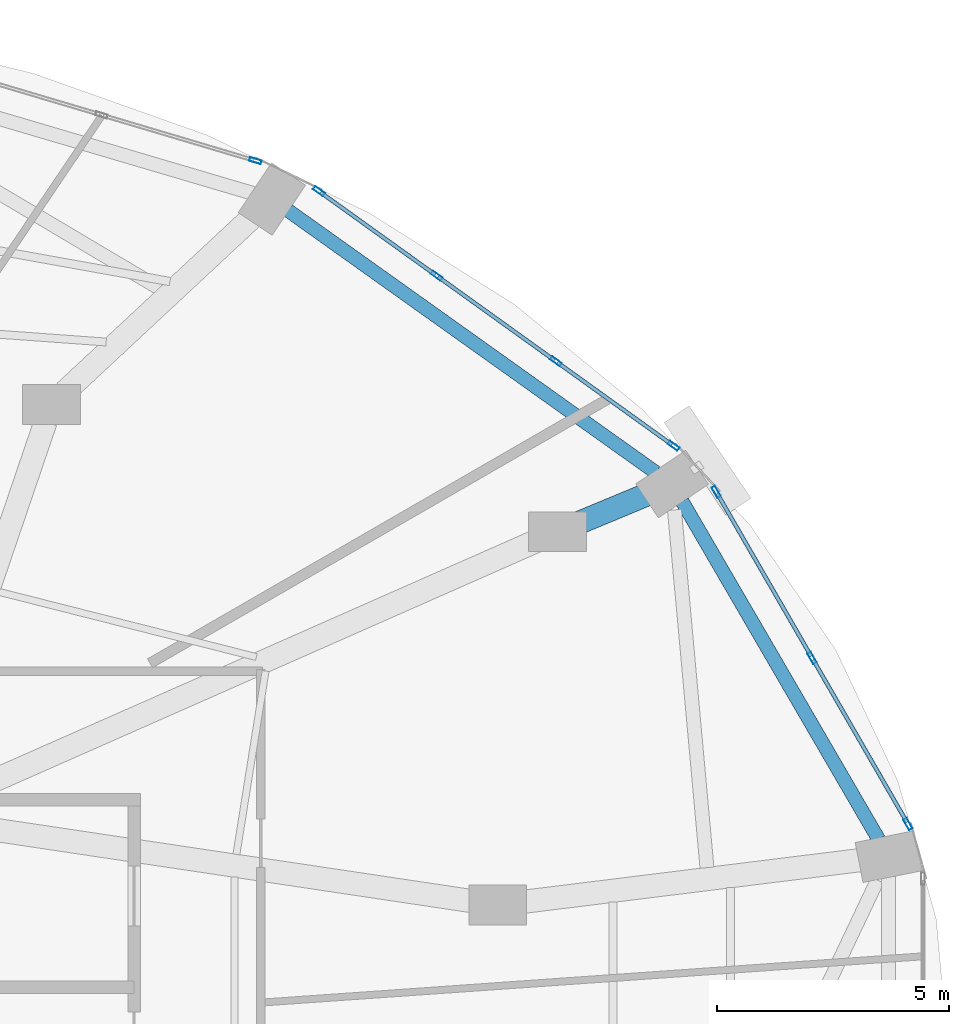
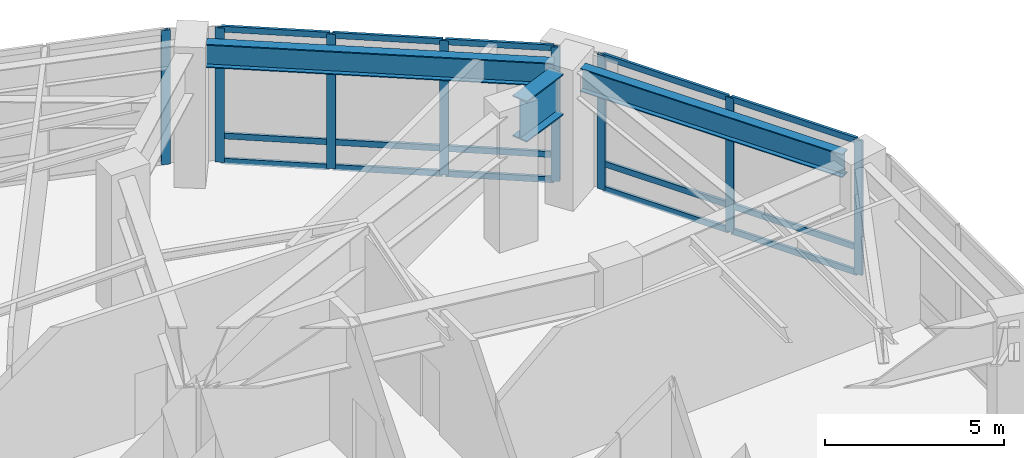
# One storey, part 17 of 24: 23 members, 3 beams, 3 elements without a shape of their own.
"""IFC4 building model written with IfcOpenShell, lengths in metres."""

from ifc_helpers import new_model, si_unit, direction, frame, origin, origin_2d, place, context, subcontext, project, spatial, hollow_rectangle, i_section, extrude, material, layer, layer_set, material_profile, profile_set, type_object, element, aggregate, save


model = new_model("IFC4")

# Units and contexts
model_context = context("Model", 3, precision=1e-05, world=origin(), true_north=direction((0.0, 1.0)))
body_context = subcontext(model_context, "Body", "Model", "MODEL_VIEW")
ifc_project = project(units=[si_unit("LENGTHUNIT", "METRE"), si_unit("AREAUNIT", "SQUARE_METRE"), si_unit("VOLUMEUNIT", "CUBIC_METRE"), si_unit("PLANEANGLEUNIT", "RADIAN"), si_unit("MASSUNIT", "GRAM", prefix="KILO")], contexts=[model_context])

# Site, building, storey
site_placement = place(None, origin())
site = spatial("IfcSite", under=ifc_project, at=site_placement, CompositionType="ELEMENT")
building_placement = place(site_placement, origin())
building = spatial("IfcBuilding", under=site, at=building_placement, Name="Lazwardi Medical Tower", CompositionType="ELEMENT")
storey_placement = place(building_placement, frame((0.0, 0.0, 20.39990234375)))
storey = spatial("IfcBuildingStorey", under=building, at=storey_placement, Name="L04", CompositionType="ELEMENT", Elevation=20.39990234375)

# Beams
ifc_material_1 = material(Name="Steel S355", Category="steel")
ifc_material_profile_1 = material_profile(ifc_material_1, i_section(OverallWidth=0.300048828125, OverallDepth=0.800048828125, WebThickness=0.017578125, FlangeThickness=0.032958984375, at=origin_2d()), Name="HEB 800")
ifc_profile_set_1 = profile_set([ifc_material_profile_1], Name="Steel S355")
beam_type_1 = type_object("IfcBeamType", Name="BM-RB-P1", PredefinedType="BEAM", material=ifc_profile_set_1)
beam_1_placement = place(storey_placement, frame((66.482421875, 35.122314453125, 4.18017578125), z_axis=(-0.502605874383, 0.864515665003, 0.0), x_axis=(-0.864515665003, -0.502605874383, 0.0)))
element("IfcBeam", 1, at=beam_1_placement, inside=storey, type_object=beam_type_1, Name="Ring beam RB-01 B05 L04", PredefinedType="BEAM", context=body_context, shape_type="SweptSolid", body=[
    extrude(i_section(OverallWidth=0.300048828125, OverallDepth=0.800048828125, WebThickness=0.017578125, FlangeThickness=0.032958984375, at=origin_2d()), origin(), (0.0, 0.0, 1.0), 8.4384765625),
])
beam_2_placement = place(storey_placement, frame((61.6748046875, 43.038818359375, 4.18017578125), z_axis=(-0.814437186887, 0.580251728663, 0.0), x_axis=(-0.580251728663, -0.814437186887, 0.0)))
element("IfcBeam", 2, at=beam_2_placement, inside=storey, type_object=beam_type_1, Name="Ring beam RB-01 B06 L04", PredefinedType="BEAM", context=body_context, shape_type="SweptSolid", body=[
    extrude(i_section(OverallWidth=0.300048828125, OverallDepth=0.800048828125, WebThickness=0.017578125, FlangeThickness=0.032958984375, at=origin_2d()), origin(), (0.0, 0.0, 1.0), 9.743408203125),
])
ifc_material_2 = material(Name="Steel S460", Category="steel")
ifc_material_profile_2 = material_profile(ifc_material_2, i_section(OverallWidth=0.5, OverallDepth=1.39990234375, WebThickness=0.028076171875, FlangeThickness=0.044921875, at=origin_2d()), Name="PG 1400x500")
ifc_profile_set_2 = profile_set([ifc_material_profile_2], Name="Steel S460")
beam_type_2 = type_object("IfcBeamType", Name="BM-TG-01", PredefinedType="BEAM", material=ifc_profile_set_2)
beam_3_placement = place(storey_placement, frame((61.489501953125, 42.56640625, 3.880126953125), z_axis=(-0.923382441077, -0.383881319565, 0.0), x_axis=(0.383881319565, -0.923382441077, 0.0)))
element("IfcBeam", 3, at=beam_3_placement, inside=storey, type_object=beam_type_2, Name="Transfer girder TG-01 M06A L04", PredefinedType="BEAM", context=body_context, shape_type="SweptSolid", body=[
    extrude(i_section(OverallWidth=0.5, OverallDepth=1.39990234375, WebThickness=0.028076171875, FlangeThickness=0.044921875, at=origin_2d()), origin(), (0.0, 0.0, 1.0), 1.70068359375),
])

# Curtain wall, members
ifc_material_3 = material(Name="Anodised bronze aluminium and solar control glazing", Category="aluminium")
ifc_layer = layer(ifc_material_3, 0.219970703125)
ifc_layer_set = layer_set([ifc_layer], Name="Anodised bronze aluminium and solar control glazing")
curtain_wall_type = type_object("IfcCurtainWallType", Name="CW-SYS-01", PredefinedType="NOTDEFINED", material=ifc_layer_set)
curtain_wall_1_placement = place(storey_placement, origin())
curtain_wall_1 = element("IfcCurtainWall", 4, at=curtain_wall_1_placement, inside=storey, type_object=curtain_wall_type, Name="L04 Unitised bronze curtain wall CW-01", PredefinedType="NOTDEFINED")
ifc_material_4 = material(Name="Anodised bronze aluminium", Category="aluminium")
ifc_material_profile_3 = material_profile(ifc_material_4, hollow_rectangle(XDim=0.0849609375, YDim=0.260009765625, WallThickness=0.0048828125, at=origin_2d()), Name="ALU-MULLION 260x85x5")
ifc_profile_set_3 = profile_set([ifc_material_profile_3], Name="Anodised bronze aluminium")
member_type_1 = type_object("IfcMemberType", Name="CW-MUL-02", PredefinedType="MULLION", material=ifc_profile_set_3)
member_1_placement = place(storey_placement, frame((67.1142578125, 35.4541015625, 0.0), z_axis=(0.0, 0.0, 1.0), x_axis=(-0.866180607783, -0.499731082384, 0.0)))
member_1 = element("IfcMember", 5, at=member_1_placement, type_object=member_type_1, Name="CW-01 mullion 1", PredefinedType="MULLION", context=body_context, shape_type="SweptSolid", body=[
    extrude(hollow_rectangle(XDim=0.0849609375, YDim=0.260009765625, WallThickness=0.0048828125, at=origin_2d()), origin(), (0.0, 0.0, 1.0), 4.580078125),
])
member_2_placement = place(storey_placement, frame((65.04638671875, 39.0380859375, 0.0), z_axis=(0.0, 0.0, 1.0), x_axis=(-0.866180607783, -0.499731082384, 0.0)))
member_2 = element("IfcMember", 6, at=member_2_placement, type_object=member_type_1, Name="CW-01 mullion 2", PredefinedType="MULLION", context=body_context, shape_type="SweptSolid", body=[
    extrude(hollow_rectangle(XDim=0.0849609375, YDim=0.260009765625, WallThickness=0.0048828125, at=origin_2d()), origin(), (0.0, 0.0, 1.0), 4.580078125),
])
member_3_placement = place(storey_placement, frame((62.978759765625, 42.6220703125, 0.0), z_axis=(0.0, 0.0, 1.0), x_axis=(-0.866180607783, -0.499731082384, 0.0)))
member_3 = element("IfcMember", 7, at=member_3_placement, type_object=member_type_1, Name="CW-01 mullion 3", PredefinedType="MULLION", context=body_context, shape_type="SweptSolid", body=[
    extrude(hollow_rectangle(XDim=0.0849609375, YDim=0.260009765625, WallThickness=0.0048828125, at=origin_2d()), origin(), (0.0, 0.0, 1.0), 4.580078125),
])

curtain_wall_2_placement = place(storey_placement, origin())
curtain_wall_2 = element("IfcCurtainWall", 8, at=curtain_wall_2_placement, inside=storey, type_object=curtain_wall_type, Name="L04 Unitised bronze curtain wall CW-01", PredefinedType="NOTDEFINED")
member_4_placement = place(storey_placement, frame((62.056640625, 43.614501953125, 0.0), z_axis=(0.0, 0.0, 1.0), x_axis=(-0.583214260584, -0.812318365083, 0.0)))
member_4 = element("IfcMember", 9, at=member_4_placement, type_object=member_type_1, Name="CW-01 mullion 1", PredefinedType="MULLION", context=body_context, shape_type="SweptSolid", body=[
    extrude(hollow_rectangle(XDim=0.0849609375, YDim=0.260009765625, WallThickness=0.0048828125, at=origin_2d()), origin(), (0.0, 0.0, 1.0), 4.580078125),
])
member_5_placement = place(storey_placement, frame((59.517822265625, 45.437255859375, 0.0), z_axis=(0.0, 0.0, 1.0), x_axis=(-0.583214260584, -0.812318365083, 0.0)))
member_5 = element("IfcMember", 10, at=member_5_placement, type_object=member_type_1, Name="CW-01 mullion 2", PredefinedType="MULLION", context=body_context, shape_type="SweptSolid", body=[
    extrude(hollow_rectangle(XDim=0.0849609375, YDim=0.260009765625, WallThickness=0.0048828125, at=origin_2d()), origin(), (0.0, 0.0, 1.0), 4.580078125),
])
member_6_placement = place(storey_placement, frame((56.944580078125, 47.28466796875, 0.0), z_axis=(0.0, 0.0, 1.0), x_axis=(-0.583214260584, -0.812318365083, 0.0)))
member_6 = element("IfcMember", 11, at=member_6_placement, type_object=member_type_1, Name="CW-01 mullion 3", PredefinedType="MULLION", context=body_context, shape_type="SweptSolid", body=[
    extrude(hollow_rectangle(XDim=0.0849609375, YDim=0.260009765625, WallThickness=0.0048828125, at=origin_2d()), origin(), (0.0, 0.0, 1.0), 4.580078125),
])
member_7_placement = place(storey_placement, frame((54.40576171875, 49.107421875, 0.0), z_axis=(0.0, 0.0, 1.0), x_axis=(-0.583214260584, -0.812318365083, 0.0)))
member_7 = element("IfcMember", 12, at=member_7_placement, type_object=member_type_1, Name="CW-01 mullion 4", PredefinedType="MULLION", context=body_context, shape_type="SweptSolid", body=[
    extrude(hollow_rectangle(XDim=0.0849609375, YDim=0.260009765625, WallThickness=0.0048828125, at=origin_2d()), origin(), (0.0, 0.0, 1.0), 4.580078125),
])

# Curtain wall, member
curtain_wall_3_placement = place(storey_placement, origin())
curtain_wall_3 = element("IfcCurtainWall", 13, at=curtain_wall_3_placement, inside=storey, type_object=curtain_wall_type, Name="L04 Unitised bronze curtain wall CW-01", PredefinedType="NOTDEFINED")
member_8_placement = place(storey_placement, frame((53.033935546875, 49.766357421875, 0.0), z_axis=(0.0, 0.0, 1.0), x_axis=(-0.285047195531, -0.958513482597, 0.0)))
member_8 = element("IfcMember", 14, at=member_8_placement, type_object=member_type_1, Name="CW-01 mullion 1", PredefinedType="MULLION", context=body_context, shape_type="SweptSolid", body=[
    extrude(hollow_rectangle(XDim=0.0849609375, YDim=0.260009765625, WallThickness=0.0048828125, at=origin_2d()), origin(), (0.0, 0.0, 1.0), 4.580078125),
])
aggregate(curtain_wall_3, [member_8])

# Member
ifc_material_profile_4 = material_profile(ifc_material_4, hollow_rectangle(XDim=0.0849609375, YDim=0.199951171875, WallThickness=0.00439453125, at=origin_2d()), Name="ALU-TRANSOM 200x85x4.5")
ifc_profile_set_4 = profile_set([ifc_material_profile_4], Name="Anodised bronze aluminium")
member_type_2 = type_object("IfcMemberType", Name="CW-TRN-02", PredefinedType="USERDEFINED", material=ifc_profile_set_4)
member_9_placement = place(storey_placement, frame((67.093017578125, 35.49072265625, 0.04248046875), z_axis=(-0.499741574693, 0.866174554304, 0.0), x_axis=(-0.866174554304, -0.499741574693, 0.0)))
member_9 = element("IfcMember", 15, at=member_9_placement, type_object=member_type_2, Name="CW-01 transom 1.1", ObjectType="TRANSOM", PredefinedType="USERDEFINED", context=body_context, shape_type="SweptSolid", body=[
    extrude(hollow_rectangle(XDim=0.0849609375, YDim=0.199951171875, WallThickness=0.00439453125, at=origin_2d()), origin(), (0.0, 0.0, 1.0), 4.052978515625),
])

member_10_placement = place(storey_placement, frame((67.093017578125, 35.49072265625, 0.900146484375), z_axis=(-0.499741574693, 0.866174554304, 0.0), x_axis=(-0.866174554304, -0.499741574693, 0.0)))
member_10 = element("IfcMember", 16, at=member_10_placement, type_object=member_type_2, Name="CW-01 transom 1.2", ObjectType="TRANSOM", PredefinedType="USERDEFINED", context=body_context, shape_type="SweptSolid", body=[
    extrude(hollow_rectangle(XDim=0.0849609375, YDim=0.199951171875, WallThickness=0.00439453125, at=origin_2d()), origin(), (0.0, 0.0, 1.0), 4.052978515625),
])

member_11_placement = place(storey_placement, frame((67.093017578125, 35.49072265625, 4.53759765625), z_axis=(-0.499741574693, 0.866174554304, 0.0), x_axis=(-0.866174554304, -0.499741574693, 0.0)))
member_11 = element("IfcMember", 17, at=member_11_placement, type_object=member_type_2, Name="CW-01 transom 1.3", ObjectType="TRANSOM", PredefinedType="USERDEFINED", context=body_context, shape_type="SweptSolid", body=[
    extrude(hollow_rectangle(XDim=0.0849609375, YDim=0.199951171875, WallThickness=0.00439453125, at=origin_2d()), origin(), (0.0, 0.0, 1.0), 4.052978515625),
])

member_12_placement = place(storey_placement, frame((65.025146484375, 39.074951171875, 0.04248046875), z_axis=(-0.499767651026, 0.866159508975, 0.0), x_axis=(-0.866159508975, -0.499767651026, 0.0)))
member_12 = element("IfcMember", 18, at=member_12_placement, type_object=member_type_2, Name="CW-01 transom 2.1", ObjectType="TRANSOM", PredefinedType="USERDEFINED", context=body_context, shape_type="SweptSolid", body=[
    extrude(hollow_rectangle(XDim=0.0849609375, YDim=0.199951171875, WallThickness=0.00439453125, at=origin_2d()), origin(), (0.0, 0.0, 1.0), 4.052734375),
])

member_13_placement = place(storey_placement, frame((65.025146484375, 39.074951171875, 0.900146484375), z_axis=(-0.499767651026, 0.866159508975, 0.0), x_axis=(-0.866159508975, -0.499767651026, 0.0)))
member_13 = element("IfcMember", 19, at=member_13_placement, type_object=member_type_2, Name="CW-01 transom 2.2", ObjectType="TRANSOM", PredefinedType="USERDEFINED", context=body_context, shape_type="SweptSolid", body=[
    extrude(hollow_rectangle(XDim=0.0849609375, YDim=0.199951171875, WallThickness=0.00439453125, at=origin_2d()), origin(), (0.0, 0.0, 1.0), 4.052734375),
])

member_14_placement = place(storey_placement, frame((65.025146484375, 39.074951171875, 4.53759765625), z_axis=(-0.499767651026, 0.866159508975, 0.0), x_axis=(-0.866159508975, -0.499767651026, 0.0)))
member_14 = element("IfcMember", 20, at=member_14_placement, type_object=member_type_2, Name="CW-01 transom 2.3", ObjectType="TRANSOM", PredefinedType="USERDEFINED", context=body_context, shape_type="SweptSolid", body=[
    extrude(hollow_rectangle(XDim=0.0849609375, YDim=0.199951171875, WallThickness=0.00439453125, at=origin_2d()), origin(), (0.0, 0.0, 1.0), 4.052734375),
])

aggregate(curtain_wall_1, [member_1, member_2, member_3, member_9, member_10, member_11, member_12, member_13, member_14])

member_15_placement = place(storey_placement, frame((62.02197265625, 43.63916015625, 0.04248046875), z_axis=(-0.812314954496, 0.583219010924, 0.0), x_axis=(-0.583219010924, -0.812314954496, 0.0)))
member_15 = element("IfcMember", 21, at=member_15_placement, type_object=member_type_2, Name="CW-01 transom 1.1", ObjectType="TRANSOM", PredefinedType="USERDEFINED", context=body_context, shape_type="SweptSolid", body=[
    extrude(hollow_rectangle(XDim=0.0849609375, YDim=0.199951171875, WallThickness=0.00439453125, at=origin_2d()), origin(), (0.0, 0.0, 1.0), 3.040283203125),
])

member_16_placement = place(storey_placement, frame((62.02197265625, 43.63916015625, 0.900146484375), z_axis=(-0.812314954496, 0.583219010924, 0.0), x_axis=(-0.583219010924, -0.812314954496, 0.0)))
member_16 = element("IfcMember", 22, at=member_16_placement, type_object=member_type_2, Name="CW-01 transom 1.2", ObjectType="TRANSOM", PredefinedType="USERDEFINED", context=body_context, shape_type="SweptSolid", body=[
    extrude(hollow_rectangle(XDim=0.0849609375, YDim=0.199951171875, WallThickness=0.00439453125, at=origin_2d()), origin(), (0.0, 0.0, 1.0), 3.040283203125),
])

member_17_placement = place(storey_placement, frame((62.02197265625, 43.63916015625, 4.53759765625), z_axis=(-0.812314954496, 0.583219010924, 0.0), x_axis=(-0.583219010924, -0.812314954496, 0.0)))
member_17 = element("IfcMember", 23, at=member_17_placement, type_object=member_type_2, Name="CW-01 transom 1.3", ObjectType="TRANSOM", PredefinedType="USERDEFINED", context=body_context, shape_type="SweptSolid", body=[
    extrude(hollow_rectangle(XDim=0.0849609375, YDim=0.199951171875, WallThickness=0.00439453125, at=origin_2d()), origin(), (0.0, 0.0, 1.0), 3.040283203125),
])

member_18_placement = place(storey_placement, frame((59.4833984375, 45.4619140625, 0.04248046875), z_axis=(-0.81231315212, 0.583221521287, 0.0), x_axis=(-0.583221521287, -0.81231315212, 0.0)))
member_18 = element("IfcMember", 24, at=member_18_placement, type_object=member_type_2, Name="CW-01 transom 2.1", ObjectType="TRANSOM", PredefinedType="USERDEFINED", context=body_context, shape_type="SweptSolid", body=[
    extrude(hollow_rectangle(XDim=0.0849609375, YDim=0.199951171875, WallThickness=0.00439453125, at=origin_2d()), origin(), (0.0, 0.0, 1.0), 3.0830078125),
])

member_19_placement = place(storey_placement, frame((59.4833984375, 45.4619140625, 0.900146484375), z_axis=(-0.81231315212, 0.583221521287, 0.0), x_axis=(-0.583221521287, -0.81231315212, 0.0)))
member_19 = element("IfcMember", 25, at=member_19_placement, type_object=member_type_2, Name="CW-01 transom 2.2", ObjectType="TRANSOM", PredefinedType="USERDEFINED", context=body_context, shape_type="SweptSolid", body=[
    extrude(hollow_rectangle(XDim=0.0849609375, YDim=0.199951171875, WallThickness=0.00439453125, at=origin_2d()), origin(), (0.0, 0.0, 1.0), 3.0830078125),
])

member_20_placement = place(storey_placement, frame((59.4833984375, 45.4619140625, 4.53759765625), z_axis=(-0.81231315212, 0.583221521287, 0.0), x_axis=(-0.583221521287, -0.81231315212, 0.0)))
member_20 = element("IfcMember", 26, at=member_20_placement, type_object=member_type_2, Name="CW-01 transom 2.3", ObjectType="TRANSOM", PredefinedType="USERDEFINED", context=body_context, shape_type="SweptSolid", body=[
    extrude(hollow_rectangle(XDim=0.0849609375, YDim=0.199951171875, WallThickness=0.00439453125, at=origin_2d()), origin(), (0.0, 0.0, 1.0), 3.0830078125),
])

member_21_placement = place(storey_placement, frame((56.909912109375, 47.3095703125, 0.04248046875), z_axis=(-0.812314954496, 0.583219010924, 0.0), x_axis=(-0.583219010924, -0.812314954496, 0.0)))
member_21 = element("IfcMember", 27, at=member_21_placement, type_object=member_type_2, Name="CW-01 transom 3.1", ObjectType="TRANSOM", PredefinedType="USERDEFINED", context=body_context, shape_type="SweptSolid", body=[
    extrude(hollow_rectangle(XDim=0.0849609375, YDim=0.199951171875, WallThickness=0.00439453125, at=origin_2d()), origin(), (0.0, 0.0, 1.0), 3.040283203125),
])

member_22_placement = place(storey_placement, frame((56.909912109375, 47.3095703125, 0.900146484375), z_axis=(-0.812314954496, 0.583219010924, 0.0), x_axis=(-0.583219010924, -0.812314954496, 0.0)))
member_22 = element("IfcMember", 28, at=member_22_placement, type_object=member_type_2, Name="CW-01 transom 3.2", ObjectType="TRANSOM", PredefinedType="USERDEFINED", context=body_context, shape_type="SweptSolid", body=[
    extrude(hollow_rectangle(XDim=0.0849609375, YDim=0.199951171875, WallThickness=0.00439453125, at=origin_2d()), origin(), (0.0, 0.0, 1.0), 3.040283203125),
])

member_23_placement = place(storey_placement, frame((56.909912109375, 47.3095703125, 4.53759765625), z_axis=(-0.812314954496, 0.583219010924, 0.0), x_axis=(-0.583219010924, -0.812314954496, 0.0)))
member_23 = element("IfcMember", 29, at=member_23_placement, type_object=member_type_2, Name="CW-01 transom 3.3", ObjectType="TRANSOM", PredefinedType="USERDEFINED", context=body_context, shape_type="SweptSolid", body=[
    extrude(hollow_rectangle(XDim=0.0849609375, YDim=0.199951171875, WallThickness=0.00439453125, at=origin_2d()), origin(), (0.0, 0.0, 1.0), 3.040283203125),
])

aggregate(curtain_wall_2, [member_4, member_5, member_6, member_7, member_15, member_16, member_17, member_18, member_19, member_20, member_21, member_22, member_23])

save(model, "model.ifc")
